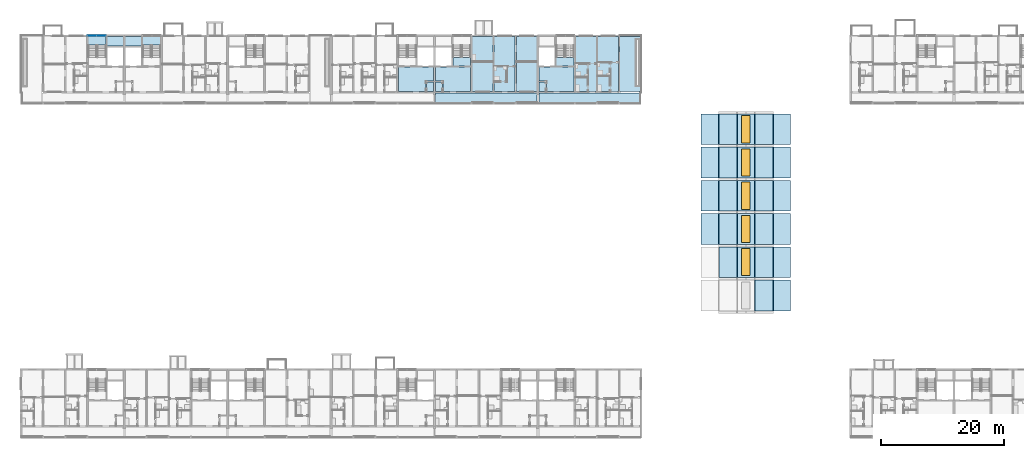
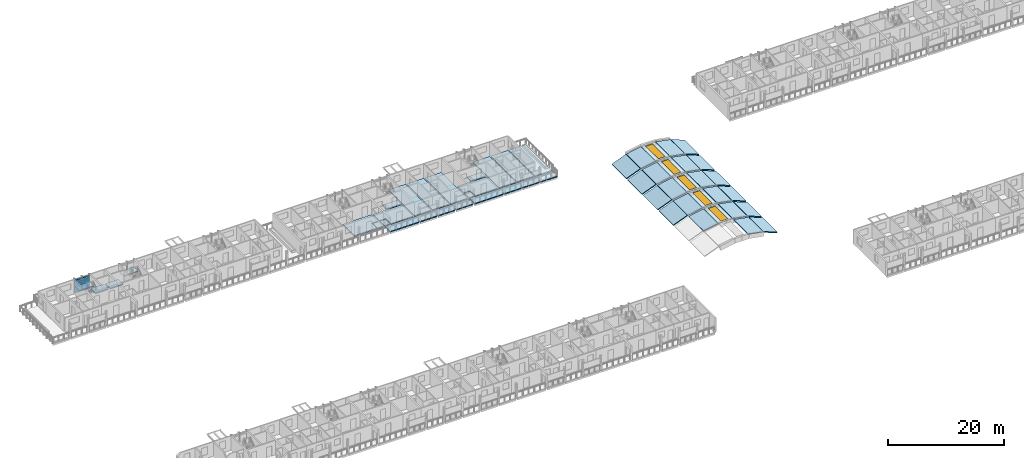
# One storey, part 24 of 93: 46 slabs, 5 windows, 4 plates, 5 openings, 3 elements without a shape of their own.
"""IFC4 building model written with IfcOpenShell, lengths in metres."""

import ifcopenshell
import ifcopenshell.guid

model = None  # the IFC model being written
_history = None  # IfcOwnerHistory: only IFC2X3 demands one
_inside = {}  # id of a spatial element -> (the spatial element, [elements in it])
_under = {}  # id of a project, library or spatial element -> (it, [spatial elements below it])
_declared = {}  # id of a project -> (the project, [libraries it declares])
_typed = {}  # id of a type object -> (the type object, [elements of that type])
_made_of = {}  # id of a material, layer set ... -> (it, [elements and type objects made of it])


def new_model(schema):
    """Start an empty IFC model of exactly this schema.

    Asked for "IFC4X3", IfcOpenShell would pick the latest addendum, in which some entities
    have other attributes; the version numbers below select the first issue.
    IFC2X3 requires an IfcOwnerHistory on every rooted entity: one is made here for all.
    """
    global model, _history
    if schema == "IFC4X3":
        model = ifcopenshell.file(schema_version=(4, 3, 0, 0))
    else:
        model = ifcopenshell.file(schema=schema)
    _inside.clear()
    _under.clear()
    _declared.clear()
    _typed.clear()
    _made_of.clear()
    _history = None
    if model.schema == "IFC2X3":
        org = make("IfcOrganization", Name="unknown")
        user = make(
            "IfcPersonAndOrganization",
            ThePerson=make("IfcPerson", FamilyName="unknown"),
            TheOrganization=org,
        )
        app = make(
            "IfcApplication",
            ApplicationDeveloper=org,
            Version="unknown",
            ApplicationFullName="unknown",
            ApplicationIdentifier="unknown",
        )
        _history = make(
            "IfcOwnerHistory",
            OwningUser=user,
            OwningApplication=app,
            ChangeAction="ADDED",
            CreationDate=0,
        )
    return model


def make(cls, **values):
    """One entity of the class cls with the attributes given. An attribute that is None is left unset."""
    return model.create_entity(
        cls, **{name: value for name, value in values.items() if value is not None}
    )


def rooted(cls, **values):
    """An entity with a GlobalId (a new one), such as an element, a storey or a relation."""
    return make(cls, GlobalId=ifcopenshell.guid.new(), OwnerHistory=_history, **values)


def si_unit(unit_type, name, prefix=None):
    """IfcSIUnit, for example si_unit("LENGTHUNIT", "METRE", prefix="MILLI")."""
    return make("IfcSIUnit", UnitType=unit_type, Prefix=prefix, Name=name)


def assignment(units):
    """IfcUnitAssignment: the units of a project."""
    return None if units is None else make("IfcUnitAssignment", Units=units)


def point(xyz):
    """IfcCartesianPoint."""
    return None if xyz is None else make("IfcCartesianPoint", Coordinates=xyz)


def direction(xyz):
    """IfcDirection."""
    return None if xyz is None else make("IfcDirection", DirectionRatios=xyz)


def frame(location, z_axis=None, x_axis=None):
    """IfcAxis2Placement3D, a coordinate frame: its origin and axes. An axis left out is left unset."""
    return make(
        "IfcAxis2Placement3D",
        Location=point(location),
        Axis=direction(z_axis),
        RefDirection=direction(x_axis),
    )


def frame_2d(location, x_axis=None):
    """IfcAxis2Placement2D, a coordinate frame in the plane: its origin and x axis."""
    return make(
        "IfcAxis2Placement2D", Location=point(location), RefDirection=direction(x_axis)
    )


def origin():
    """The frame at (0, 0, 0) with its axes left unset."""
    return frame((0.0, 0.0, 0.0))


def origin_2d():
    """The frame at (0, 0) in the plane with its x axis left unset."""
    return frame_2d((0.0, 0.0))


def place(relative_to, where):
    """IfcLocalPlacement: puts the frame where relative to a parent placement (None: the world)."""
    return make(
        "IfcLocalPlacement", PlacementRelTo=relative_to, RelativePlacement=where
    )


def context(
    kind, dimensions, precision=None, world=None, true_north=None, identifier=None
):
    """IfcGeometricRepresentationContext, for example the 3D "Model" context."""
    return make(
        "IfcGeometricRepresentationContext",
        ContextIdentifier=identifier,
        ContextType=kind,
        CoordinateSpaceDimension=dimensions,
        Precision=precision,
        WorldCoordinateSystem=world,
        TrueNorth=true_north,
    )


def subcontext(parent, identifier, kind, view, scale=None):
    """IfcGeometricRepresentationSubContext, for example "Body" below "Model"."""
    return make(
        "IfcGeometricRepresentationSubContext",
        ContextIdentifier=identifier,
        ContextType=kind,
        ParentContext=parent,
        TargetScale=scale,
        TargetView=view,
    )


def project(units=None, contexts=None):
    """IfcProject with its units and contexts."""
    return rooted(
        "IfcProject",
        Name="project",
        RepresentationContexts=contexts,
        UnitsInContext=assignment(units),
    )


def spatial(cls, under=None, at=None, **own):
    """A site, building, storey or space (cls), placed at a placement, below another one or the project."""
    s = rooted(cls, ObjectPlacement=at, **own)
    if under is not None:
        _under.setdefault(under.id(), (under, []))[1].append(s)
    return s


def polyline(points):
    """IfcPolyline through the points."""
    return make("IfcPolyline", Points=[point(p) for p in points])


def profile(cls, at=None, kind="AREA", **sizes):
    """A parametric profile (cls). Its sizes go by their IFC names, for example OverallWidth=200.0."""
    return make(cls, ProfileType=kind, Position=at, **sizes)


def rectangle(**sizes):
    """IfcRectangleProfileDef."""
    return profile("IfcRectangleProfileDef", **sizes)


def outline(outer, holes=None, kind="AREA"):
    """IfcArbitraryClosedProfileDef: a profile drawn as a closed curve; with holes, ...WithVoids."""
    if holes is None:
        return make("IfcArbitraryClosedProfileDef", ProfileType=kind, OuterCurve=outer)
    return make(
        "IfcArbitraryProfileDefWithVoids",
        ProfileType=kind,
        OuterCurve=outer,
        InnerCurves=holes,
    )


def extrude(swept, where, along, depth):
    """IfcExtrudedAreaSolid: the profile swept, set in the frame where, extruded along a direction by depth."""
    return make(
        "IfcExtrudedAreaSolid",
        SweptArea=swept,
        Position=where,
        ExtrudedDirection=direction(along),
        Depth=depth,
    )


def shape(context_of_items, identifier, shape_type, items):
    """IfcShapeRepresentation: the items that make up one representation, for example the "Body"."""
    return make(
        "IfcShapeRepresentation",
        ContextOfItems=context_of_items,
        RepresentationIdentifier=identifier,
        RepresentationType=shape_type,
        Items=items,
    )


def material(Name=None, Category=None):
    """IfcMaterial."""
    return make("IfcMaterial", Name=Name, Category=Category)


def layer(
    of_material, thickness, ventilated=None, Name=None, Category=None, Priority=None
):
    """IfcMaterialLayer: one layer of a wall or slab, of a material (None: an air gap)."""
    return make(
        "IfcMaterialLayer",
        Material=of_material,
        LayerThickness=thickness,
        IsVentilated=ventilated,
        Name=Name,
        Category=Category,
        Priority=Priority,
    )


def layer_set(layers, Name=None):
    """IfcMaterialLayerSet."""
    return make("IfcMaterialLayerSet", MaterialLayers=layers, LayerSetName=Name)


def made_of(thing, what):
    """Note that an element or type object is made of a material, layer set ...; save() writes the relation."""
    if what is not None:
        _made_of.setdefault(what.id(), (what, []))[1].append(thing)
    return thing


def type_object(cls, material=None, **own):
    """A type object (cls), such as IfcWallType, which elements share."""
    return made_of(rooted(cls, **own), material)


def element(
    cls,
    number,
    at=None,
    inside=None,
    cuts=None,
    type_object=None,
    material=None,
    context=None,
    identifier="Body",
    shape_type=None,
    held_by="IfcProductDefinitionShape",
    body=None,
    shapes=None,
    **own,
):
    """One element of the class cls, such as IfcWall. Its Tag is "e" and its number.

    at: its placement. inside: the storey or other place that contains it. cuts: it is an
    opening in that element (IfcRelVoidsElement). A single representation is given by context,
    identifier, shape_type and body (its items); several are given by shapes. held_by: the class
    of the entity that holds the representations. save() writes the other relations.
    """
    e = rooted(cls, Tag="e%d" % number, ObjectPlacement=at, **own)
    if body is not None:
        shapes = [shape(context, identifier, shape_type, body)]
    if shapes is not None:
        e.Representation = make(held_by, Representations=shapes)
    if inside is not None:
        _inside.setdefault(inside.id(), (inside, []))[1].append(e)
    if cuts is not None:
        rooted(
            "IfcRelVoidsElement", RelatingBuildingElement=cuts, RelatedOpeningElement=e
        )
    if type_object is not None:
        _typed.setdefault(type_object.id(), (type_object, []))[1].append(e)
    return made_of(e, material)


def fill(opening, filler):
    """IfcRelFillsElement: the door or window that sits in an opening."""
    return rooted(
        "IfcRelFillsElement",
        RelatingOpeningElement=opening,
        RelatedBuildingElement=filler,
    )


def aggregate(whole, parts):
    """IfcRelAggregates: a whole, such as a stair, and the parts it consists of."""
    return rooted("IfcRelAggregates", RelatingObject=whole, RelatedObjects=parts)


def save(model, path):
    """Write the relations noted so far, then the file.

    IfcRelAggregates (storeys below a building ...), IfcRelContainedInSpatialStructure (elements
    in a storey), IfcRelDefinesByType, IfcRelAssociatesMaterial and IfcRelDeclares: one each for
    every whole, place, type object, material and project.
    """
    for whole, parts in _under.values():
        aggregate(whole, parts)
    for where, things in _inside.values():
        rooted(
            "IfcRelContainedInSpatialStructure",
            RelatedElements=things,
            RelatingStructure=where,
        )
    for kind, things in _typed.values():
        rooted("IfcRelDefinesByType", RelatedObjects=things, RelatingType=kind)
    for what, things in _made_of.values():
        rooted("IfcRelAssociatesMaterial", RelatedObjects=things, RelatingMaterial=what)
    for by, libraries in _declared.values():
        rooted("IfcRelDeclares", RelatingContext=by, RelatedDefinitions=libraries)
    model.write(path)


model = new_model("IFC4")

# Units and contexts
model_context = context("Model", 3, precision=1e-05, world=origin(), true_north=direction((0.0, 1.0)))
body_context = subcontext(model_context, "Body", "Model", "MODEL_VIEW")
ifc_project = project(units=[si_unit("LENGTHUNIT", "METRE"), si_unit("AREAUNIT", "SQUARE_METRE"), si_unit("VOLUMEUNIT", "CUBIC_METRE"), si_unit("PLANEANGLEUNIT", "RADIAN"), si_unit("MASSUNIT", "GRAM", prefix="KILO")], contexts=[model_context])

# Site, building, storey
site_placement = place(None, origin())
site = spatial("IfcSite", under=ifc_project, at=site_placement, CompositionType="ELEMENT")
building_placement = place(site_placement, origin())
building = spatial("IfcBuilding", under=site, at=building_placement, Name="Ridgestep Commons", CompositionType="ELEMENT")
storey_placement = place(building_placement, frame((0.0, 0.0, 18.0)))
storey = spatial("IfcBuildingStorey", under=building, at=storey_placement, Name="L06", CompositionType="ELEMENT", Elevation=18.0)

# Slabs
ifc_material_1 = material(Name="Precast concrete C40/50", Category="concrete")
ifc_layer_1 = layer(ifc_material_1, 0.199951171875)
ifc_layer_set_1 = layer_set([ifc_layer_1], Name="Gallery slab 200")
slab_type_1 = type_object("IfcSlabType", Name="Gallery slab 200", PredefinedType="FLOOR", material=ifc_layer_set_1)
slab_1_placement = place(storey_placement, frame((0.0, 0.0, -0.199951171875)))
element("IfcSlab", 1, at=slab_1_placement, inside=storey, type_object=slab_type_1, Name="Gallery slab B5 L06", PredefinedType="FLOOR", context=body_context, shape_type="SweptSolid", body=[
    extrude(outline(polyline([(95.85009765625, 67.800048828125), (79.35009765625, 67.800048828125), (79.35009765625, 66.0), (85.074951171875, 66.0), (85.074951171875, 66.25), (85.324951171875, 66.25), (85.324951171875, 66.0), (88.675048828125, 66.0), (88.675048828125, 66.25), (88.925048828125, 66.25), (88.925048828125, 66.0), (92.27490234375, 66.0), (92.27490234375, 66.25), (92.52490234375, 66.25), (92.52490234375, 66.0), (95.85009765625, 66.0), (95.85009765625, 67.800048828125)])), origin(), (0.0, 0.0, 1.0), 0.199951171875),
])
slab_2_placement = place(storey_placement, frame((0.0, 0.0, -0.199951171875)))
element("IfcSlab", 2, at=slab_2_placement, inside=storey, type_object=slab_type_1, Name="Gallery slab B6 L06", PredefinedType="FLOOR", context=body_context, shape_type="SweptSolid", body=[
    extrude(outline(polyline([(112.64990234375, 67.800048828125), (96.14990234375, 67.800048828125), (96.14990234375, 66.0), (101.875, 66.0), (101.875, 66.25), (102.125, 66.25), (102.125, 66.0), (105.47509765625, 66.0), (105.47509765625, 66.25), (105.72509765625, 66.25), (105.72509765625, 66.0), (109.074951171875, 66.0), (109.074951171875, 66.25), (109.324951171875, 66.25), (109.324951171875, 66.0), (112.64990234375, 66.0), (112.64990234375, 67.800048828125)])), origin(), (0.0, 0.0, 1.0), 0.199951171875),
])

# Curtain wall, plates
ifc_material_2 = material(Name="Aluminium 6063-T6 and glass", Category="aluminium")
curtain_wall_type = type_object("IfcCurtainWallType", Name="Curtain wall stair strip", PredefinedType="NOTDEFINED", material=ifc_material_2)
curtain_wall_placement = place(storey_placement, origin())
curtain_wall = element("IfcCurtainWall", 3, at=curtain_wall_placement, inside=storey, type_object=curtain_wall_type, Name="Curtain wall B1C level 06", PredefinedType="NOTDEFINED")
ifc_material_3 = material(Name="Glass laminated 6/16/6 low-emissivity", Category="glass")
ifc_layer_2 = layer(ifc_material_3, 0.028076171875)
ifc_layer_set_2 = layer_set([ifc_layer_2], Name="Glazing panel 28")
plate_type_1 = type_object("IfcPlateType", Name="Glazing panel 28", PredefinedType="CURTAIN_PANEL", material=ifc_layer_set_2)
plate_1_placement = place(storey_placement, frame((23.5712890625, 77.080078125, 0.06005859375), z_axis=(0.0, 0.0, 1.0), x_axis=(1.0, 0.0, 0.0)))
plate_1 = element("IfcPlate", 4, at=plate_1_placement, type_object=plate_type_1, Name="CW1 panel 1.1", PredefinedType="CURTAIN_PANEL", context=body_context, shape_type="SweptSolid", body=[
    extrude(rectangle(XDim=1.422607421875, YDim=0.028076171875, at=origin_2d()), origin(), (0.0, 0.0, 1.0), 2.5),
])
plate_2_placement = place(storey_placement, frame((25.0537109375, 77.080078125, 0.06005859375), z_axis=(0.0, 0.0, 1.0), x_axis=(1.0, 0.0, 0.0)))
plate_2 = element("IfcPlate", 5, at=plate_2_placement, type_object=plate_type_1, Name="CW1 panel 2.1", PredefinedType="CURTAIN_PANEL", context=body_context, shape_type="SweptSolid", body=[
    extrude(rectangle(XDim=1.422607421875, YDim=0.028076171875, at=origin_2d()), origin(), (0.0, 0.0, 1.0), 2.5),
])

# Slab, opening, window
ifc_material_4 = material(Name="Precast concrete C50/60", Category="concrete")
ifc_layer_3 = layer(ifc_material_4, 0.199951171875)
ifc_layer_set_3 = layer_set([ifc_layer_3], Name="Hall crown plank 200")
slab_type_2 = type_object("IfcSlabType", Name="Hall crown plank 200", PredefinedType="ROOF", material=ifc_layer_set_3)
slab_3_placement = place(storey_placement, frame((0.0, 0.0, 1.488525390625)))
slab_3 = element("IfcSlab", 6, at=slab_3_placement, inside=storey, type_object=slab_type_2, Name="Hall barrel vault panel 74", PredefinedType="ROOF", context=body_context, shape_type="SweptSolid", body=[
    extrude(outline(polyline([(128.396484375, 37.800048828125), (131.20361328125, 37.800048828125), (131.20361328125, 42.800048828125), (128.396484375, 42.800048828125), (128.396484375, 37.800048828125)])), origin(), (0.0, 0.0, 1.0), 0.199951171875),
])
opening_1_placement = place(slab_3_placement, frame((129.800048828125, 40.300048828125, 0.0)))
opening_1 = element("IfcOpeningElement", 7, at=opening_1_placement, cuts=slab_3, Name="Opening RL1", PredefinedType="OPENING", context=body_context, shape_type="SweptSolid", body=[
    extrude(rectangle(XDim=1.39990234375, YDim=4.39990234375, at=origin_2d()), origin(), (0.0, 0.0, 1.0), 0.199951171875),
])
ifc_material_5 = material(Name="Aluminium and glass", Category="aluminium")
window_type = type_object("IfcWindowType", Name="Roof light 1400 x 4400", PartitioningType="SINGLE_PANEL", PredefinedType="SKYLIGHT", material=ifc_material_5)
window_1_placement = place(opening_1_placement, frame((0.0, 0.0, 0.14990234375)))
window_1 = element("IfcWindow", 8, at=window_1_placement, inside=storey, type_object=window_type, Name="Roof light", OverallHeight=4.39990234375, OverallWidth=1.39990234375, PartitioningType="SINGLE_PANEL", PredefinedType="SKYLIGHT", context=body_context, shape_type="SweptSolid", body=[
    extrude(rectangle(XDim=1.39990234375, YDim=4.39990234375, at=origin_2d()), origin(), (0.0, 0.0, 1.0), 0.050048828125),
])
fill(opening_1, window_1)

slab_4_placement = place(storey_placement, frame((0.0, 0.0, 1.488525390625)))
slab_4 = element("IfcSlab", 9, at=slab_4_placement, inside=storey, type_object=slab_type_2, Name="Hall barrel vault panel 75", PredefinedType="ROOF", context=body_context, shape_type="SweptSolid", body=[
    extrude(outline(polyline([(128.396484375, 43.199951171875), (131.20361328125, 43.199951171875), (131.20361328125, 48.199951171875), (128.396484375, 48.199951171875), (128.396484375, 43.199951171875)])), origin(), (0.0, 0.0, 1.0), 0.199951171875),
])
opening_2_placement = place(slab_4_placement, frame((129.800048828125, 45.699951171875, 0.0)))
opening_2 = element("IfcOpeningElement", 10, at=opening_2_placement, cuts=slab_4, Name="Opening RL1", PredefinedType="OPENING", context=body_context, shape_type="SweptSolid", body=[
    extrude(rectangle(XDim=1.39990234375, YDim=4.39990234375, at=origin_2d()), origin(), (0.0, 0.0, 1.0), 0.199951171875),
])
window_2_placement = place(opening_2_placement, frame((0.0, 0.0, 0.14990234375)))
window_2 = element("IfcWindow", 11, at=window_2_placement, inside=storey, type_object=window_type, Name="Roof light", OverallHeight=4.39990234375, OverallWidth=1.39990234375, PartitioningType="SINGLE_PANEL", PredefinedType="SKYLIGHT", context=body_context, shape_type="SweptSolid", body=[
    extrude(rectangle(XDim=1.39990234375, YDim=4.39990234375, at=origin_2d()), origin(), (0.0, 0.0, 1.0), 0.050048828125),
])
fill(opening_2, window_2)

slab_5_placement = place(storey_placement, frame((0.0, 0.0, 1.488525390625)))
slab_5 = element("IfcSlab", 12, at=slab_5_placement, inside=storey, type_object=slab_type_2, Name="Hall barrel vault panel 76", PredefinedType="ROOF", context=body_context, shape_type="SweptSolid", body=[
    extrude(outline(polyline([(128.396484375, 48.60009765625), (131.20361328125, 48.60009765625), (131.20361328125, 53.60009765625), (128.396484375, 53.60009765625), (128.396484375, 48.60009765625)])), origin(), (0.0, 0.0, 1.0), 0.199951171875),
])
opening_3_placement = place(slab_5_placement, frame((129.800048828125, 51.10009765625, 0.0)))
opening_3 = element("IfcOpeningElement", 13, at=opening_3_placement, cuts=slab_5, Name="Opening RL1", PredefinedType="OPENING", context=body_context, shape_type="SweptSolid", body=[
    extrude(rectangle(XDim=1.39990234375, YDim=4.39990234375, at=origin_2d()), origin(), (0.0, 0.0, 1.0), 0.199951171875),
])
window_3_placement = place(opening_3_placement, frame((0.0, 0.0, 0.14990234375)))
window_3 = element("IfcWindow", 14, at=window_3_placement, inside=storey, type_object=window_type, Name="Roof light", OverallHeight=4.39990234375, OverallWidth=1.39990234375, PartitioningType="SINGLE_PANEL", PredefinedType="SKYLIGHT", context=body_context, shape_type="SweptSolid", body=[
    extrude(rectangle(XDim=1.39990234375, YDim=4.39990234375, at=origin_2d()), origin(), (0.0, 0.0, 1.0), 0.050048828125),
])
fill(opening_3, window_3)

slab_6_placement = place(storey_placement, frame((0.0, 0.0, 1.488525390625)))
slab_6 = element("IfcSlab", 15, at=slab_6_placement, inside=storey, type_object=slab_type_2, Name="Hall barrel vault panel 77", PredefinedType="ROOF", context=body_context, shape_type="SweptSolid", body=[
    extrude(outline(polyline([(128.396484375, 54.0), (131.20361328125, 54.0), (131.20361328125, 59.0), (128.396484375, 59.0), (128.396484375, 54.0)])), origin(), (0.0, 0.0, 1.0), 0.199951171875),
])
opening_4_placement = place(slab_6_placement, frame((129.800048828125, 56.5, 0.0)))
opening_4 = element("IfcOpeningElement", 16, at=opening_4_placement, cuts=slab_6, Name="Opening RL1", PredefinedType="OPENING", context=body_context, shape_type="SweptSolid", body=[
    extrude(rectangle(XDim=1.39990234375, YDim=4.39990234375, at=origin_2d()), origin(), (0.0, 0.0, 1.0), 0.199951171875),
])
window_4_placement = place(opening_4_placement, frame((0.0, 0.0, 0.14990234375)))
window_4 = element("IfcWindow", 17, at=window_4_placement, inside=storey, type_object=window_type, Name="Roof light", OverallHeight=4.39990234375, OverallWidth=1.39990234375, PartitioningType="SINGLE_PANEL", PredefinedType="SKYLIGHT", context=body_context, shape_type="SweptSolid", body=[
    extrude(rectangle(XDim=1.39990234375, YDim=4.39990234375, at=origin_2d()), origin(), (0.0, 0.0, 1.0), 0.050048828125),
])
fill(opening_4, window_4)

slab_7_placement = place(storey_placement, frame((0.0, 0.0, 1.488525390625)))
slab_7 = element("IfcSlab", 18, at=slab_7_placement, inside=storey, type_object=slab_type_2, Name="Hall barrel vault panel 78", PredefinedType="ROOF", context=body_context, shape_type="SweptSolid", body=[
    extrude(outline(polyline([(128.396484375, 59.39990234375), (131.20361328125, 59.39990234375), (131.20361328125, 64.39990234375), (128.396484375, 64.39990234375), (128.396484375, 59.39990234375)])), origin(), (0.0, 0.0, 1.0), 0.199951171875),
])
opening_5_placement = place(slab_7_placement, frame((129.800048828125, 61.89990234375, 0.0)))
opening_5 = element("IfcOpeningElement", 19, at=opening_5_placement, cuts=slab_7, Name="Opening RL1", PredefinedType="OPENING", context=body_context, shape_type="SweptSolid", body=[
    extrude(rectangle(XDim=1.39990234375, YDim=4.39990234375, at=origin_2d()), origin(), (0.0, 0.0, 1.0), 0.199951171875),
])
window_5_placement = place(opening_5_placement, frame((0.0, 0.0, 0.14990234375)))
window_5 = element("IfcWindow", 20, at=window_5_placement, inside=storey, type_object=window_type, Name="Roof light", OverallHeight=4.39990234375, OverallWidth=1.39990234375, PartitioningType="SINGLE_PANEL", PredefinedType="SKYLIGHT", context=body_context, shape_type="SweptSolid", body=[
    extrude(rectangle(XDim=1.39990234375, YDim=4.39990234375, at=origin_2d()), origin(), (0.0, 0.0, 1.0), 0.050048828125),
])
fill(opening_5, window_5)

# Slabs
ifc_material_6 = material(Name="Precast concrete C50/60", Category="concrete")
ifc_layer_4 = layer(ifc_material_6, 0.199951171875)
ifc_layer_set_4 = layer_set([ifc_layer_4], Name="Hall roof plank 200")
slab_type_3 = type_object("IfcSlabType", Name="Hall roof plank 200", PredefinedType="ROOF", material=ifc_layer_set_4)
slab_8_placement = place(storey_placement, frame((131.24072265625, 32.39990234375, 1.685302734375), z_axis=(0.181331077079, 0.0, 0.983422106974), x_axis=(0.983422106974, 0.0, -0.181331077079)))
element("IfcSlab", 21, at=slab_8_placement, inside=storey, type_object=slab_type_3, Name="Hall barrel vault panel 7", PredefinedType="ROOF", context=body_context, shape_type="SweptSolid", body=[
    extrude(outline(polyline([(0.0, 0.0), (3.02127782686524, 0.0), (3.02127782686524, 5.0), (0.0, 5.0), (0.0, 0.0)])), origin(), (0.0, 0.0, -1.0), 0.199951171875),
])
slab_9_placement = place(storey_placement, frame((134.248291015625, 32.39990234375, 1.127197265625), z_axis=(0.362750411998, 0.0, 0.931886333517), x_axis=(0.931886333517, 0.0, -0.362750411998)))
element("IfcSlab", 22, at=slab_9_placement, inside=storey, type_object=slab_type_3, Name="Hall barrel vault panel 8", PredefinedType="ROOF", context=body_context, shape_type="SweptSolid", body=[
    extrude(outline(polyline([(0.0, 0.0), (3.0212157708921197, 0.0), (3.0212157708921197, 5.0), (0.0, 5.0), (0.0, 0.0)])), origin(), (0.0, 0.0, -1.0), 0.199951171875),
])
slab_10_placement = place(storey_placement, frame((125.38818359375, 37.800048828125, 1.137451171875), z_axis=(-0.181345488126, 0.0, 0.983419449643), x_axis=(0.983419449643, 0.0, 0.181345488126)))
element("IfcSlab", 23, at=slab_10_placement, inside=storey, type_object=slab_type_3, Name="Hall barrel vault panel 18", PredefinedType="ROOF", context=body_context, shape_type="SweptSolid", body=[
    extrude(outline(polyline([(0.0, 0.0), (3.0210377339017724, 0.0), (3.0210377339017724, 5.0), (0.0, 5.0), (0.0, 0.0)])), origin(), (0.0, 0.0, -1.0), 0.199951171875),
])
slab_11_placement = place(storey_placement, frame((131.24072265625, 37.800048828125, 1.685302734375), z_axis=(0.181331077079, 0.0, 0.983422106974), x_axis=(0.983422106974, 0.0, -0.181331077079)))
element("IfcSlab", 24, at=slab_11_placement, inside=storey, type_object=slab_type_3, Name="Hall barrel vault panel 19", PredefinedType="ROOF", context=body_context, shape_type="SweptSolid", body=[
    extrude(outline(polyline([(0.0, 0.0), (3.02127782686524, 0.0), (3.02127782686524, 5.0), (0.0, 5.0), (0.0, 0.0)])), origin(), (0.0, 0.0, -1.0), 0.199951171875),
])
for number, where, z_axis, x_axis, name in (
    (25, (134.248291015625, 37.800048828125, 1.127197265625), (0.362750411998, 0.0, 0.931886333517), (0.931886333517, 0.0, -0.362750411998), "Hall barrel vault panel 20"),
    (26, (122.536376953125, 43.199951171875, 0.03125), (-0.362750411998, 0.0, 0.931886333517), (0.931886333517, 0.0, 0.362750411998), "Hall barrel vault panel 29"),
):
    element("IfcSlab", number, at=place(storey_placement, frame(where, z_axis=z_axis, x_axis=x_axis)), inside=storey, type_object=slab_type_3, Name=name, PredefinedType="ROOF", context=body_context, shape_type="SweptSolid", body=[
        extrude(outline(polyline([(0.0, 0.0), (3.0212157708921197, 0.0), (3.0212157708921197, 5.0), (0.0, 5.0), (0.0, 0.0)])), origin(), (0.0, 0.0, -1.0), 0.199951171875),
    ])
slab_12_placement = place(storey_placement, frame((125.38818359375, 43.199951171875, 1.137451171875), z_axis=(-0.181345488126, 0.0, 0.983419449643), x_axis=(0.983419449643, 0.0, 0.181345488126)))
element("IfcSlab", 27, at=slab_12_placement, inside=storey, type_object=slab_type_3, Name="Hall barrel vault panel 30", PredefinedType="ROOF", context=body_context, shape_type="SweptSolid", body=[
    extrude(outline(polyline([(0.0, 0.0), (3.0210377339017724, 0.0), (3.0210377339017724, 5.0), (0.0, 5.0), (0.0, 0.0)])), origin(), (0.0, 0.0, -1.0), 0.199951171875),
])
slab_13_placement = place(storey_placement, frame((131.24072265625, 43.199951171875, 1.685302734375), z_axis=(0.181331077079, 0.0, 0.983422106974), x_axis=(0.983422106974, 0.0, -0.181331077079)))
element("IfcSlab", 28, at=slab_13_placement, inside=storey, type_object=slab_type_3, Name="Hall barrel vault panel 31", PredefinedType="ROOF", context=body_context, shape_type="SweptSolid", body=[
    extrude(outline(polyline([(0.0, 0.0), (3.02127782686524, 0.0), (3.02127782686524, 5.0), (0.0, 5.0), (0.0, 0.0)])), origin(), (0.0, 0.0, -1.0), 0.199951171875),
])
for number, where, z_axis, x_axis, name in (
    (29, (134.248291015625, 43.199951171875, 1.127197265625), (0.362750411998, 0.0, 0.931886333517), (0.931886333517, 0.0, -0.362750411998), "Hall barrel vault panel 32"),
    (30, (122.536376953125, 48.60009765625, 0.03125), (-0.362750411998, 0.0, 0.931886333517), (0.931886333517, 0.0, 0.362750411998), "Hall barrel vault panel 41"),
):
    element("IfcSlab", number, at=place(storey_placement, frame(where, z_axis=z_axis, x_axis=x_axis)), inside=storey, type_object=slab_type_3, Name=name, PredefinedType="ROOF", context=body_context, shape_type="SweptSolid", body=[
        extrude(outline(polyline([(0.0, 0.0), (3.0212157708921197, 0.0), (3.0212157708921197, 5.0), (0.0, 5.0), (0.0, 0.0)])), origin(), (0.0, 0.0, -1.0), 0.199951171875),
    ])
slab_14_placement = place(storey_placement, frame((125.38818359375, 48.60009765625, 1.137451171875), z_axis=(-0.181345488126, 0.0, 0.983419449643), x_axis=(0.983419449643, 0.0, 0.181345488126)))
element("IfcSlab", 31, at=slab_14_placement, inside=storey, type_object=slab_type_3, Name="Hall barrel vault panel 42", PredefinedType="ROOF", context=body_context, shape_type="SweptSolid", body=[
    extrude(outline(polyline([(0.0, 0.0), (3.0210377339017724, 0.0), (3.0210377339017724, 5.0), (0.0, 5.0), (0.0, 0.0)])), origin(), (0.0, 0.0, -1.0), 0.199951171875),
])
slab_15_placement = place(storey_placement, frame((131.24072265625, 48.60009765625, 1.685302734375), z_axis=(0.181331077079, 0.0, 0.983422106974), x_axis=(0.983422106974, 0.0, -0.181331077079)))
element("IfcSlab", 32, at=slab_15_placement, inside=storey, type_object=slab_type_3, Name="Hall barrel vault panel 43", PredefinedType="ROOF", context=body_context, shape_type="SweptSolid", body=[
    extrude(outline(polyline([(0.0, 0.0), (3.02127782686524, 0.0), (3.02127782686524, 5.0), (0.0, 5.0), (0.0, 0.0)])), origin(), (0.0, 0.0, -1.0), 0.199951171875),
])
for number, where, z_axis, x_axis, name in (
    (33, (134.248291015625, 48.60009765625, 1.127197265625), (0.362750411998, 0.0, 0.931886333517), (0.931886333517, 0.0, -0.362750411998), "Hall barrel vault panel 44"),
    (34, (122.536376953125, 54.0, 0.03125), (-0.362750411998, 0.0, 0.931886333517), (0.931886333517, 0.0, 0.362750411998), "Hall barrel vault panel 53"),
):
    element("IfcSlab", number, at=place(storey_placement, frame(where, z_axis=z_axis, x_axis=x_axis)), inside=storey, type_object=slab_type_3, Name=name, PredefinedType="ROOF", context=body_context, shape_type="SweptSolid", body=[
        extrude(outline(polyline([(0.0, 0.0), (3.0212157708921197, 0.0), (3.0212157708921197, 5.0), (0.0, 5.0), (0.0, 0.0)])), origin(), (0.0, 0.0, -1.0), 0.199951171875),
    ])
slab_16_placement = place(storey_placement, frame((125.38818359375, 54.0, 1.137451171875), z_axis=(-0.181345488126, 0.0, 0.983419449643), x_axis=(0.983419449643, 0.0, 0.181345488126)))
element("IfcSlab", 35, at=slab_16_placement, inside=storey, type_object=slab_type_3, Name="Hall barrel vault panel 54", PredefinedType="ROOF", context=body_context, shape_type="SweptSolid", body=[
    extrude(outline(polyline([(0.0, 0.0), (3.0210377339017724, 0.0), (3.0210377339017724, 5.0), (0.0, 5.0), (0.0, 0.0)])), origin(), (0.0, 0.0, -1.0), 0.199951171875),
])
slab_17_placement = place(storey_placement, frame((131.24072265625, 54.0, 1.685302734375), z_axis=(0.181331077079, 0.0, 0.983422106974), x_axis=(0.983422106974, 0.0, -0.181331077079)))
element("IfcSlab", 36, at=slab_17_placement, inside=storey, type_object=slab_type_3, Name="Hall barrel vault panel 55", PredefinedType="ROOF", context=body_context, shape_type="SweptSolid", body=[
    extrude(outline(polyline([(0.0, 0.0), (3.02127782686524, 0.0), (3.02127782686524, 5.0), (0.0, 5.0), (0.0, 0.0)])), origin(), (0.0, 0.0, -1.0), 0.199951171875),
])
for number, where, z_axis, x_axis, name in (
    (37, (134.248291015625, 54.0, 1.127197265625), (0.362750411998, 0.0, 0.931886333517), (0.931886333517, 0.0, -0.362750411998), "Hall barrel vault panel 56"),
    (38, (122.536376953125, 59.39990234375, 0.03125), (-0.362750411998, 0.0, 0.931886333517), (0.931886333517, 0.0, 0.362750411998), "Hall barrel vault panel 65"),
):
    element("IfcSlab", number, at=place(storey_placement, frame(where, z_axis=z_axis, x_axis=x_axis)), inside=storey, type_object=slab_type_3, Name=name, PredefinedType="ROOF", context=body_context, shape_type="SweptSolid", body=[
        extrude(outline(polyline([(0.0, 0.0), (3.0212157708921197, 0.0), (3.0212157708921197, 5.0), (0.0, 5.0), (0.0, 0.0)])), origin(), (0.0, 0.0, -1.0), 0.199951171875),
    ])
slab_18_placement = place(storey_placement, frame((125.38818359375, 59.39990234375, 1.137451171875), z_axis=(-0.181345488126, 0.0, 0.983419449643), x_axis=(0.983419449643, 0.0, 0.181345488126)))
element("IfcSlab", 39, at=slab_18_placement, inside=storey, type_object=slab_type_3, Name="Hall barrel vault panel 66", PredefinedType="ROOF", context=body_context, shape_type="SweptSolid", body=[
    extrude(outline(polyline([(0.0, 0.0), (3.0210377339017724, 0.0), (3.0210377339017724, 5.0), (0.0, 5.0), (0.0, 0.0)])), origin(), (0.0, 0.0, -1.0), 0.199951171875),
])
slab_19_placement = place(storey_placement, frame((131.24072265625, 59.39990234375, 1.685302734375), z_axis=(0.181331077079, 0.0, 0.983422106974), x_axis=(0.983422106974, 0.0, -0.181331077079)))
element("IfcSlab", 40, at=slab_19_placement, inside=storey, type_object=slab_type_3, Name="Hall barrel vault panel 67", PredefinedType="ROOF", context=body_context, shape_type="SweptSolid", body=[
    extrude(outline(polyline([(0.0, 0.0), (3.02127782686524, 0.0), (3.02127782686524, 5.0), (0.0, 5.0), (0.0, 0.0)])), origin(), (0.0, 0.0, -1.0), 0.199951171875),
])
slab_20_placement = place(storey_placement, frame((134.248291015625, 59.39990234375, 1.127197265625), z_axis=(0.362750411998, 0.0, 0.931886333517), x_axis=(0.931886333517, 0.0, -0.362750411998)))
element("IfcSlab", 41, at=slab_20_placement, inside=storey, type_object=slab_type_3, Name="Hall barrel vault panel 68", PredefinedType="ROOF", context=body_context, shape_type="SweptSolid", body=[
    extrude(outline(polyline([(0.0, 0.0), (3.0212157708921197, 0.0), (3.0212157708921197, 5.0), (0.0, 5.0), (0.0, 0.0)])), origin(), (0.0, 0.0, -1.0), 0.199951171875),
])
ifc_material_7 = material(Name="Precast concrete C50/60", Category="concrete")
ifc_layer_5 = layer(ifc_material_7, 0.199951171875)
ifc_layer_set_5 = layer_set([ifc_layer_5], Name="Hollow-core plank 200")
slab_type_4 = type_object("IfcSlabType", Name="Hollow-core plank 200", PredefinedType="FLOOR", material=ifc_layer_set_5)
slab_21_placement = place(storey_placement, frame((0.0, 0.0, -0.199951171875)))
element("IfcSlab", 42, at=slab_21_placement, inside=storey, type_object=slab_type_4, Name="Floor plank B5T3 L06", PredefinedType="FLOOR", context=body_context, shape_type="SweptSolid", body=[
    extrude(outline(polyline([(88.699951171875, 68.0), (88.699951171875, 77.0), (85.324951171875, 77.0), (85.324951171875, 68.0), (88.699951171875, 68.0)])), origin(), (0.0, 0.0, 1.0), 0.199951171875),
])
slab_22_placement = place(storey_placement, frame((0.0, 0.0, -0.199951171875)))
element("IfcSlab", 43, at=slab_22_placement, inside=storey, type_object=slab_type_4, Name="Floor plank B5T2 L06", PredefinedType="FLOOR", context=body_context, shape_type="SweptSolid", body=[
    extrude(outline(polyline([(92.300048828125, 68.0), (92.300048828125, 77.0), (88.89990234375, 77.0), (88.89990234375, 68.0), (92.300048828125, 68.0)])), origin(), (0.0, 0.0, 1.0), 0.199951171875),
])
slab_23_placement = place(storey_placement, frame((0.0, 0.0, -0.199951171875)))
element("IfcSlab", 44, at=slab_23_placement, inside=storey, type_object=slab_type_4, Name="Floor plank B5T1 L06", PredefinedType="FLOOR", context=body_context, shape_type="SweptSolid", body=[
    extrude(outline(polyline([(95.85009765625, 68.0), (95.85009765625, 77.0), (92.5, 77.0), (92.5, 68.0), (95.85009765625, 68.0)])), origin(), (0.0, 0.0, 1.0), 0.199951171875),
])
slab_24_placement = place(storey_placement, frame((0.0, 0.0, -0.199951171875)))
element("IfcSlab", 45, at=slab_24_placement, inside=storey, type_object=slab_type_4, Name="Floor plank B6T3 L06", PredefinedType="FLOOR", context=body_context, shape_type="SweptSolid", body=[
    extrude(outline(polyline([(105.5, 68.0), (105.5, 77.0), (102.125, 77.0), (102.125, 68.0), (105.5, 68.0)])), origin(), (0.0, 0.0, 1.0), 0.199951171875),
])
slab_25_placement = place(storey_placement, frame((0.0, 0.0, -0.199951171875)))
element("IfcSlab", 46, at=slab_25_placement, inside=storey, type_object=slab_type_4, Name="Floor plank B6T2 L06", PredefinedType="FLOOR", context=body_context, shape_type="SweptSolid", body=[
    extrude(outline(polyline([(109.10009765625, 68.0), (109.10009765625, 77.0), (105.699951171875, 77.0), (105.699951171875, 68.0), (109.10009765625, 68.0)])), origin(), (0.0, 0.0, 1.0), 0.199951171875),
])
ifc_material_8 = material(Name="Precast concrete C50/60", Category="concrete")
ifc_layer_6 = layer(ifc_material_8, 0.25)
ifc_layer_set_6 = layer_set([ifc_layer_6], Name="Hollow-core plank 250")
slab_type_5 = type_object("IfcSlabType", Name="Hollow-core plank 250", PredefinedType="FLOOR", material=ifc_layer_set_6)
slab_26_placement = place(storey_placement, frame((0.0, 0.0, -0.25)))
element("IfcSlab", 47, at=slab_26_placement, inside=storey, type_object=slab_type_5, Name="Floor plank B1C L06", PredefinedType="FLOOR", context=body_context, shape_type="SweptSolid", body=[
    extrude(outline(polyline([(28.64990234375, 75.39990234375), (28.64990234375, 77.0), (26.02490234375, 77.0), (26.02490234375, 75.39990234375), (28.64990234375, 75.39990234375)])), origin(), (0.0, 0.0, 1.0), 0.25),
])
slab_27_placement = place(storey_placement, frame((0.0, 0.0, -0.25)))
element("IfcSlab", 48, at=slab_27_placement, inside=storey, type_object=slab_type_5, Name="Floor plank B2C L06", PredefinedType="FLOOR", context=body_context, shape_type="SweptSolid", body=[
    extrude(outline(polyline([(31.574951171875, 77.0), (28.949951171875, 77.0), (28.949951171875, 75.39990234375), (31.574951171875, 75.39990234375), (31.574951171875, 77.0)])), origin(), (0.0, 0.0, 1.0), 0.25),
])
slab_28_placement = place(storey_placement, frame((0.0, 0.0, -0.25)))
element("IfcSlab", 49, at=slab_28_placement, inside=storey, type_object=slab_type_5, Name="Floor plank B4C L06", PredefinedType="FLOOR", context=body_context, shape_type="SweptSolid", body=[
    extrude(outline(polyline([(77.919921875, 69.719970703125), (79.050048828125, 69.719970703125), (79.050048828125, 72.0), (73.324951171875, 72.0), (73.324951171875, 68.0), (77.800048828125, 68.0), (77.800048828125, 69.719970703125), (77.919921875, 69.719970703125)])), origin(), (0.0, 0.0, 1.0), 0.25),
])
slab_29_placement = place(storey_placement, frame((0.0, 0.0, -0.25)))
element("IfcSlab", 50, at=slab_29_placement, inside=storey, type_object=slab_type_5, Name="Floor plank B4C L06", PredefinedType="FLOOR", context=body_context, shape_type="SweptSolid", body=[
    extrude(outline(polyline([(77.919921875, 68.0), (79.050048828125, 68.0), (79.050048828125, 69.60009765625), (77.919921875, 69.60009765625), (77.919921875, 68.0)])), origin(), (0.0, 0.0, 1.0), 0.25),
])
slab_30_placement = place(storey_placement, frame((0.0, 0.0, -0.25)))
element("IfcSlab", 51, at=slab_30_placement, inside=storey, type_object=slab_type_5, Name="Floor plank B5C L06", PredefinedType="FLOOR", context=body_context, shape_type="SweptSolid", body=[
    extrude(outline(polyline([(80.60009765625, 68.0), (85.074951171875, 68.0), (85.074951171875, 72.0), (79.35009765625, 72.0), (79.35009765625, 69.719970703125), (80.47998046875, 69.719970703125), (80.60009765625, 69.719970703125), (80.60009765625, 68.0)])), origin(), (0.0, 0.0, 1.0), 0.25),
])
slab_31_placement = place(storey_placement, frame((0.0, 0.0, -0.25)))
element("IfcSlab", 52, at=slab_31_placement, inside=storey, type_object=slab_type_5, Name="Floor plank B5C L06", PredefinedType="FLOOR", context=body_context, shape_type="SweptSolid", body=[
    extrude(outline(polyline([(85.074951171875, 72.199951171875), (85.074951171875, 73.60009765625), (82.175048828125, 73.60009765625), (82.175048828125, 72.199951171875), (85.074951171875, 72.199951171875)])), origin(), (0.0, 0.0, 1.0), 0.25),
])
slab_32_placement = place(storey_placement, frame((0.0, 0.0, -0.25)))
element("IfcSlab", 53, at=slab_32_placement, inside=storey, type_object=slab_type_5, Name="Floor plank B5C L06", PredefinedType="FLOOR", context=body_context, shape_type="SweptSolid", body=[
    extrude(outline(polyline([(80.47998046875, 69.60009765625), (79.35009765625, 69.60009765625), (79.35009765625, 68.0), (80.47998046875, 68.0), (80.47998046875, 69.60009765625)])), origin(), (0.0, 0.0, 1.0), 0.25),
])
slab_33_placement = place(storey_placement, frame((0.0, 0.0, -0.25)))
element("IfcSlab", 54, at=slab_33_placement, inside=storey, type_object=slab_type_5, Name="Floor plank B6C L06", PredefinedType="FLOOR", context=body_context, shape_type="SweptSolid", body=[
    extrude(outline(polyline([(97.39990234375, 68.0), (101.875, 68.0), (101.875, 72.0), (96.14990234375, 72.0), (96.14990234375, 69.719970703125), (97.280029296875, 69.719970703125), (97.39990234375, 69.719970703125), (97.39990234375, 68.0)])), origin(), (0.0, 0.0, 1.0), 0.25),
])
slab_34_placement = place(storey_placement, frame((0.0, 0.0, -0.25)))
element("IfcSlab", 55, at=slab_34_placement, inside=storey, type_object=slab_type_5, Name="Floor plank B6C L06", PredefinedType="FLOOR", context=body_context, shape_type="SweptSolid", body=[
    extrude(outline(polyline([(101.875, 72.199951171875), (101.875, 73.60009765625), (98.97509765625, 73.60009765625), (98.97509765625, 72.199951171875), (101.875, 72.199951171875)])), origin(), (0.0, 0.0, 1.0), 0.25),
])
slab_35_placement = place(storey_placement, frame((0.0, 0.0, -0.25)))
element("IfcSlab", 56, at=slab_35_placement, inside=storey, type_object=slab_type_5, Name="Floor plank B6C L06", PredefinedType="FLOOR", context=body_context, shape_type="SweptSolid", body=[
    extrude(outline(polyline([(97.280029296875, 69.60009765625), (96.14990234375, 69.60009765625), (96.14990234375, 68.0), (97.280029296875, 68.0), (97.280029296875, 69.60009765625)])), origin(), (0.0, 0.0, 1.0), 0.25),
])
ifc_material_9 = material(Name="Precast concrete C50/60", Category="concrete")
ifc_layer_7 = layer(ifc_material_9, 0.25)
ifc_layer_set_7 = layer_set([ifc_layer_7], Name="Roof slab 250")
slab_type_6 = type_object("IfcSlabType", Name="Roof slab 250", PredefinedType="ROOF", material=ifc_layer_set_7)
slab_36_placement = place(storey_placement, frame((0.0, 0.0, -0.25)))
element("IfcSlab", 57, at=slab_36_placement, inside=storey, type_object=slab_type_6, Name="Terrace slab B6T1", PredefinedType="ROOF", context=body_context, shape_type="SweptSolid", body=[
    extrude(outline(polyline([(112.64990234375, 68.0), (112.64990234375, 77.0), (109.300048828125, 77.0), (109.300048828125, 68.0), (112.64990234375, 68.0)])), origin(), (0.0, 0.0, 1.0), 0.25),
])

# Plate
ifc_material_10 = material(Name="Aluminium 6063-T6 and mineral wool", Category="aluminium")
ifc_layer_8 = layer(ifc_material_10, 0.0400390625)
ifc_layer_set_8 = layer_set([ifc_layer_8], Name="Spandrel panel 40")
plate_type_2 = type_object("IfcPlateType", Name="Spandrel panel 40", PredefinedType="CURTAIN_PANEL", material=ifc_layer_set_8)
plate_3_placement = place(storey_placement, frame((23.5712890625, 77.080078125, 2.6201171875), z_axis=(0.0, 0.0, 1.0), x_axis=(1.0, 0.0, 0.0)))
plate_3 = element("IfcPlate", 58, at=plate_3_placement, type_object=plate_type_2, Name="CW1 panel 1.2", PredefinedType="CURTAIN_PANEL", context=body_context, shape_type="SweptSolid", body=[
    extrude(rectangle(XDim=1.422607421875, YDim=0.0400390625, at=origin_2d()), origin(), (0.0, 0.0, 1.0), 0.320068359375),
])

plate_4_placement = place(storey_placement, frame((25.0537109375, 77.080078125, 2.6201171875), z_axis=(0.0, 0.0, 1.0), x_axis=(1.0, 0.0, 0.0)))
plate_4 = element("IfcPlate", 59, at=plate_4_placement, type_object=plate_type_2, Name="CW1 panel 2.2", PredefinedType="CURTAIN_PANEL", context=body_context, shape_type="SweptSolid", body=[
    extrude(rectangle(XDim=1.422607421875, YDim=0.0400390625, at=origin_2d()), origin(), (0.0, 0.0, 1.0), 0.320068359375),
])

aggregate(curtain_wall, [plate_1, plate_3, plate_2, plate_4])

# Stair, slab
ifc_material_11 = material(Name="Precast concrete C40/50", Category="concrete")
stair_type = type_object("IfcStairType", Name="Escape stair 1400", PredefinedType="HALF_TURN_STAIR", material=ifc_material_11)
stair_1_placement = place(storey_placement, origin())
stair_1 = element("IfcStair", 60, at=stair_1_placement, inside=storey, type_object=stair_type, Name="L06 Escape stair B1C", PredefinedType="HALF_TURN_STAIR")
ifc_material_12 = material(Name="Precast concrete C40/50", Category="concrete")
ifc_layer_9 = layer(ifc_material_12, 0.199951171875)
ifc_layer_set_9 = layer_set([ifc_layer_9], Name="Stair landing 200")
slab_type_7 = type_object("IfcSlabType", Name="Stair landing 200", PredefinedType="LANDING", material=ifc_layer_set_9)
slab_37_placement = place(storey_placement, frame((0.0, 0.0, 1.300048828125)))
slab_37 = element("IfcSlab", 61, at=slab_37_placement, type_object=slab_type_7, Name="B1C landing 1", PredefinedType="LANDING", context=body_context, shape_type="SweptSolid", body=[
    extrude(outline(polyline([(25.824951171875, 75.56005859375), (25.824951171875, 77.0), (22.925048828125, 77.0), (22.925048828125, 75.56005859375), (25.824951171875, 75.56005859375)])), origin(), (0.0, 0.0, 1.0), 0.199951171875),
])
aggregate(stair_1, [slab_37])

stair_2_placement = place(storey_placement, origin())
stair_2 = element("IfcStair", 62, at=stair_2_placement, inside=storey, type_object=stair_type, Name="L06 Escape stair B2C", PredefinedType="HALF_TURN_STAIR")
slab_38_placement = place(storey_placement, frame((0.0, 0.0, 1.300048828125)))
slab_38 = element("IfcSlab", 63, at=slab_38_placement, type_object=slab_type_7, Name="B2C landing 1", PredefinedType="LANDING", context=body_context, shape_type="SweptSolid", body=[
    extrude(outline(polyline([(34.675048828125, 75.56005859375), (34.675048828125, 77.0), (31.77490234375, 77.0), (31.77490234375, 75.56005859375), (34.675048828125, 75.56005859375)])), origin(), (0.0, 0.0, 1.0), 0.199951171875),
])
aggregate(stair_2, [slab_38])

save(model, "model.ifc")
